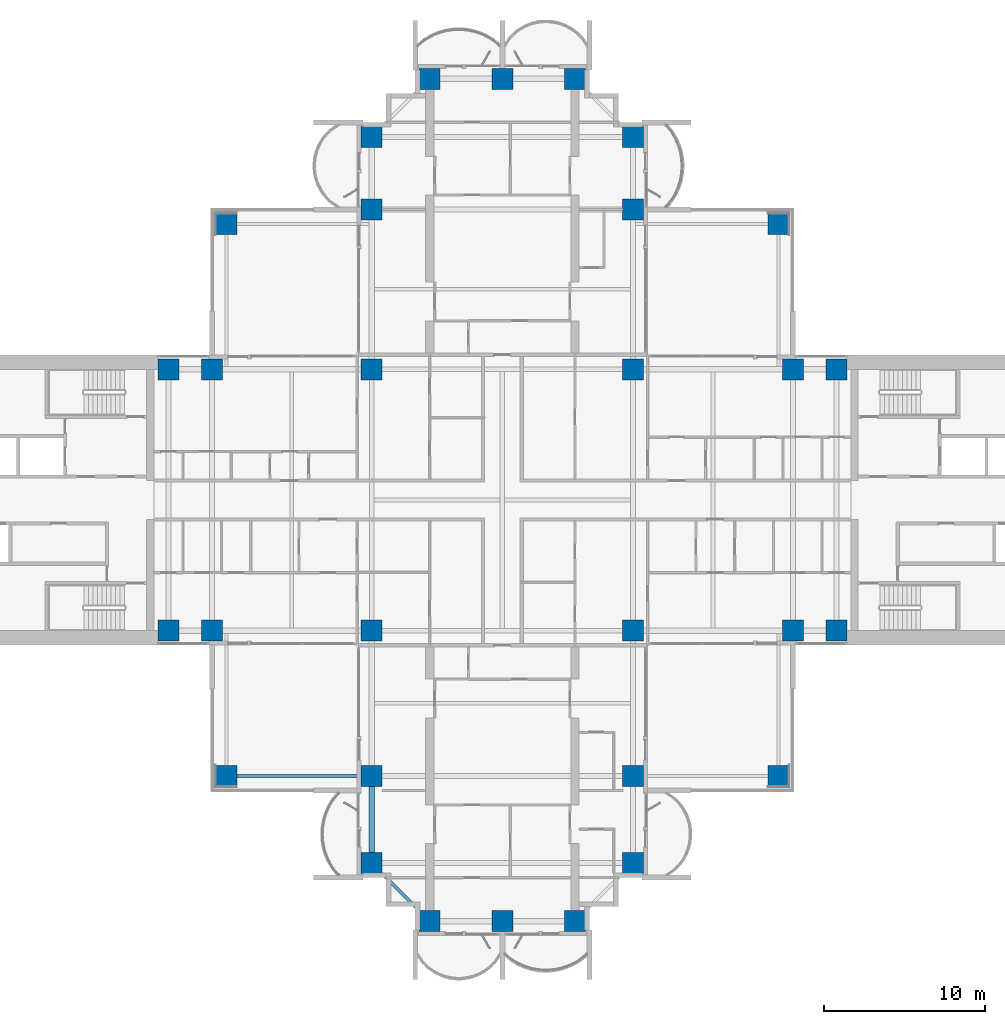
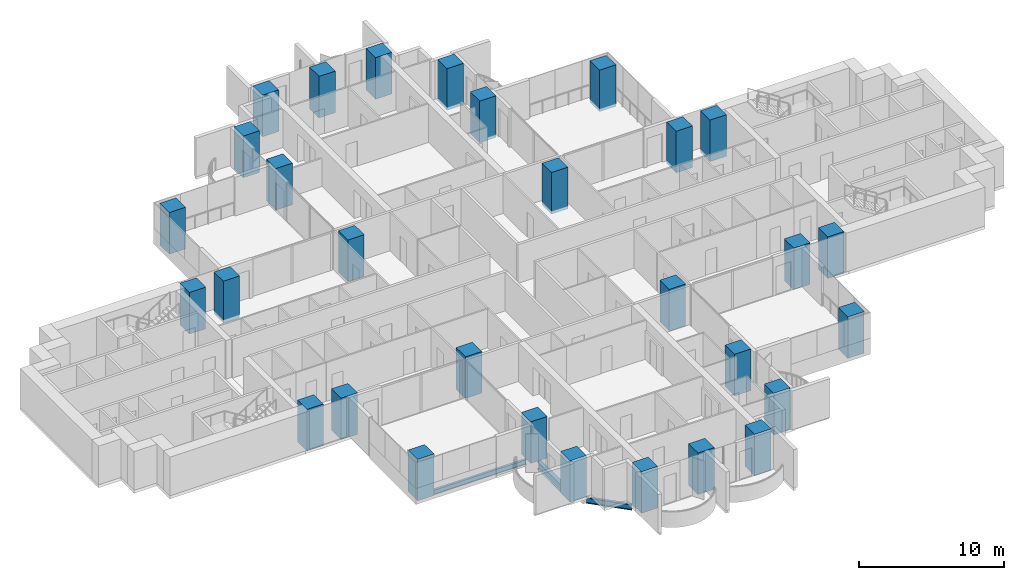
# One storey, part 1 of 21: 30 columns, 3 beams.
"""IFC4 building model written with IfcOpenShell, lengths in metres."""

from ifc_helpers import new_model, si_unit, direction, frame, origin, origin_2d, place, context, subcontext, project, spatial, rectangle, i_section, extrude, material, material_profile, profile_set, type_object, element, save


model = new_model("IFC4")

# Units and contexts
model_context = context("Model", 3, precision=1e-05, world=origin(), true_north=direction((0.0, 1.0)))
body_context = subcontext(model_context, "Body", "Model", "MODEL_VIEW")
ifc_project = project(units=[si_unit("LENGTHUNIT", "METRE"), si_unit("AREAUNIT", "SQUARE_METRE"), si_unit("VOLUMEUNIT", "CUBIC_METRE"), si_unit("PLANEANGLEUNIT", "RADIAN"), si_unit("MASSUNIT", "GRAM", prefix="KILO")], contexts=[model_context])

# Site, building, storey
site_placement = place(None, origin())
site = spatial("IfcSite", under=ifc_project, at=site_placement, CompositionType="ELEMENT")
building_placement = place(site_placement, origin())
building = spatial("IfcBuilding", under=site, at=building_placement, Name="Perihelion Cross Residences", CompositionType="ELEMENT")
storey_placement = place(building_placement, frame((0.0, 0.0, 47.0)))
storey = spatial("IfcBuildingStorey", under=building, at=storey_placement, Name="L08", CompositionType="ELEMENT", Elevation=47.0)

# Columns
ifc_material_1 = material(Name="Concrete C70/85", Category="concrete")
ifc_material_profile_1 = material_profile(ifc_material_1, rectangle(XDim=1.300048828125, YDim=1.300048828125, at=origin_2d()), Name="RC 1300x1300")
ifc_profile_set_1 = profile_set([ifc_material_profile_1], Name="Concrete C70/85")
column_type = type_object("IfcColumnType", Name="Reinforced concrete column 1300x1300 C70/85", PredefinedType="COLUMN", material=ifc_profile_set_1)
for number, where, z_axis, x_axis, name in (
    (1, (-20.699951171875, -8.10009765625, -0.25), (0.0, 0.0, 1.0), (1.0, 0.0, 0.0), "Column C017 L08 no. 1"),
    (2, (-20.699951171875, 8.10009765625, -0.25), (0.0, 0.0, 1.0), (1.0, 0.0, 0.0), "Column C010 L08 no. 1"),
    (3, (-18.0, -8.10009765625, -0.25), (0.0, 0.0, 1.0), (1.0, 0.0, 0.0), "Column C018 L08 no. 1"),
    (4, (-18.0, 8.10009765625, -0.25), (0.0, 0.0, 1.0), (1.0, 0.0, 0.0), "Column C011 L08 no. 1"),
    (5, (-8.10009765625, -22.5, -0.25), (0.0, 0.0, 1.0), (1.0, 0.0, 0.0), "Column C040 L08 no. 1"),
    (6, (-8.10009765625, -17.10009765625, -0.25), (0.0, 0.0, 1.0), (1.0, 0.0, 0.0), "Column C031 L08 no. 1"),
    (7, (-8.10009765625, -8.10009765625, -0.25), (0.0, 0.0, 1.0), (1.0, 0.0, 0.0), "Column C019 L08 no. 1"),
    (8, (-8.10009765625, 8.10009765625, -0.25), (0.0, 0.0, 1.0), (1.0, 0.0, 0.0), "Column C012 L08 no. 1"),
    (9, (-8.10009765625, 18.0, -0.25), (0.0, 0.0, 1.0), (1.0, 0.0, 0.0), "Column C006 L08 no. 1"),
    (10, (-8.10009765625, 22.5, -0.25), (0.0, 0.0, 1.0), (1.0, 0.0, 0.0), "Column C004 L08 no. 1"),
    (11, (-4.5, -26.10009765625, -0.25), (0.0, 0.0, 1.0), (1.0, 0.0, 0.0), "Column C042 L08 no. 1"),
    (12, (-4.5, 26.10009765625, -0.25), (0.0, 0.0, 1.0), (1.0, 0.0, 0.0), "Column C001 L08 no. 1"),
    (13, (0.0, -26.10009765625, -0.25), (0.0, 0.0, 1.0), (1.0, 0.0, 0.0), "Column C043 L08 no. 1"),
    (14, (0.0, 26.10009765625, -0.25), (0.0, 0.0, 1.0), (1.0, 0.0, 0.0), "Column C002 L08 no. 1"),
    (15, (4.5, -26.10009765625, -0.25), (0.0, 0.0, 1.0), (1.0, 0.0, 0.0), "Column C044 L08 no. 1"),
    (16, (4.5, 26.10009765625, -0.25), (0.0, 0.0, 1.0), (1.0, 0.0, 0.0), "Column C003 L08 no. 1"),
    (17, (8.10009765625, -22.5, -0.25), (0.0, 0.0, 1.0), (1.0, 0.0, 0.0), "Column C041 L08 no. 1"),
    (18, (8.10009765625, -17.10009765625, -0.25), (0.0, 0.0, 1.0), (1.0, 0.0, 0.0), "Column C035 L08 no. 1"),
    (19, (8.10009765625, -8.10009765625, -0.25), (0.0, 0.0, 1.0), (1.0, 0.0, 0.0), "Column C020 L08 no. 1"),
    (20, (8.10009765625, 8.10009765625, -0.25), (0.0, 0.0, 1.0), (1.0, 0.0, 0.0), "Column C014 L08 no. 1"),
    (21, (8.10009765625, 18.0, -0.25), (0.0, 0.0, 1.0), (1.0, 0.0, 0.0), "Column C007 L08 no. 1"),
    (22, (8.10009765625, 22.5, -0.25), (0.0, 0.0, 1.0), (1.0, 0.0, 0.0), "Column C005 L08 no. 1"),
    (23, (18.0, -8.10009765625, -0.25), (0.0, 0.0, 1.0), (1.0, 0.0, 0.0), "Column C021 L08 no. 1"),
    (24, (18.0, 8.10009765625, -0.25), (0.0, 0.0, 1.0), (1.0, 0.0, 0.0), "Column C015 L08 no. 1"),
    (25, (20.699951171875, -8.10009765625, -0.25), (0.0, 0.0, 1.0), (1.0, 0.0, 0.0), "Column C022 L08 no. 1"),
    (26, (20.699951171875, 8.10009765625, -0.25), (0.0, 0.0, 1.0), (1.0, 0.0, 0.0), "Column C016 L08 no. 1"),
    (27, (17.10009765625, 17.10009765625, -0.25), (0.0, 0.0, 1.0), (1.0, 0.0, 0.0), "Column C009 L08 no. 1"),
    (28, (-17.10009765625, 17.10009765625, -0.25), (0.0, 0.0, 1.0), (1.0, 0.0, 0.0), "Column C008 L08 no. 1"),
    (29, (-17.10009765625, -17.10009765625, -0.25), (0.0, 0.0, 1.0), (1.0, 0.0, 0.0), "Column C030 L08 no. 1"),
    (30, (17.10009765625, -17.10009765625, -0.25), (0.0, 0.0, 1.0), (1.0, 0.0, 0.0), "Column C036 L08 no. 1"),
):
    element("IfcColumn", number, at=place(storey_placement, frame(where, z_axis=z_axis, x_axis=x_axis)), inside=storey, type_object=column_type, Name=name, PredefinedType="COLUMN", context=body_context, shape_type="SweptSolid", body=[
        extrude(rectangle(XDim=1.300048828125, YDim=1.300048828125, at=origin_2d()), origin(), (0.0, 0.0, 1.0), 3.5),
    ])

# Beams
ifc_material_2 = material(Name="Steel S355", Category="steel")
ifc_material_profile_2 = material_profile(ifc_material_2, i_section(OverallWidth=0.177978515625, OverallDepth=0.406005859375, WebThickness=0.0078125, FlangeThickness=0.0126953125, at=origin_2d()), Name="W410x60")
ifc_profile_set_2 = profile_set([ifc_material_profile_2], Name="Steel S355")
beam_type_1 = type_object("IfcBeamType", Name="Core edge beam W410x60", PredefinedType="BEAM", material=ifc_profile_set_2)
beam_1_placement = place(storey_placement, frame((-8.75, -17.10009765625, -0.452880859375), z_axis=(-1.0, 0.0, 0.0), x_axis=(0.0, -1.0, 0.0)))
element("IfcBeam", 31, at=beam_1_placement, inside=storey, type_object=beam_type_1, Name="Core edge beam TB2 L08 corner no. 2", PredefinedType="BEAM", context=body_context, shape_type="SweptSolid", body=[
    extrude(i_section(OverallWidth=0.177978515625, OverallDepth=0.406005859375, WebThickness=0.0078125, FlangeThickness=0.0126953125, at=origin_2d()), origin(), (0.0, 0.0, 1.0), 7.699951171875),
])
ifc_material_3 = material(Name="Steel S355", Category="steel")
ifc_material_profile_3 = material_profile(ifc_material_3, i_section(OverallWidth=0.324951171875, OverallDepth=0.616943359375, WebThickness=0.013916015625, FlangeThickness=0.021484375, at=origin_2d()), Name="W610x174")
ifc_profile_set_3 = profile_set([ifc_material_profile_3], Name="Steel S355")
beam_type_2 = type_object("IfcBeamType", Name="Edge beam W610x174", PredefinedType="SPANDREL", material=ifc_profile_set_3)
beam_2_placement = place(storey_placement, frame((-8.10009765625, -17.75, -0.55859375), z_axis=(0.0, -1.0, 0.0), x_axis=(1.0, 0.0, 0.0)))
element("IfcBeam", 32, at=beam_2_placement, inside=storey, type_object=beam_type_2, Name="Edge beam SB2 L08 no. 5", PredefinedType="SPANDREL", context=body_context, shape_type="SweptSolid", body=[
    extrude(i_section(OverallWidth=0.324951171875, OverallDepth=0.616943359375, WebThickness=0.013916015625, FlangeThickness=0.021484375, at=origin_2d()), origin(), (0.0, 0.0, 1.0), 4.10009765625),
])
ifc_material_4 = material(Name="Steel S355", Category="steel")
ifc_material_profile_4 = material_profile(ifc_material_4, i_section(OverallWidth=0.194091796875, OverallDepth=0.469970703125, WebThickness=0.0126953125, FlangeThickness=0.0205078125, at=origin_2d()), Name="W460x106")
ifc_profile_set_4 = profile_set([ifc_material_profile_4], Name="Steel S355")
beam_type_3 = type_object("IfcBeamType", Name="Serration edge beam W460x106", PredefinedType="BEAM", material=ifc_profile_set_4)
beam_3_placement = place(storey_placement, frame((-7.449951171875, -23.14990234375, -0.485107421875), z_axis=(0.707106781187, -0.707106781187, 0.0), x_axis=(0.707106781187, 0.707106781187, 0.0)))
element("IfcBeam", 33, at=beam_3_placement, inside=storey, type_object=beam_type_3, Name="Serration edge beam EB2 L08 no. 2", PredefinedType="BEAM", context=body_context, shape_type="SweptSolid", body=[
    extrude(i_section(OverallWidth=0.194091796875, OverallDepth=0.469970703125, WebThickness=0.0126953125, FlangeThickness=0.0205078125, at=origin_2d()), origin(), (0.0, 0.0, 1.0), 3.252685546875),
])

save(model, "model.ifc")
